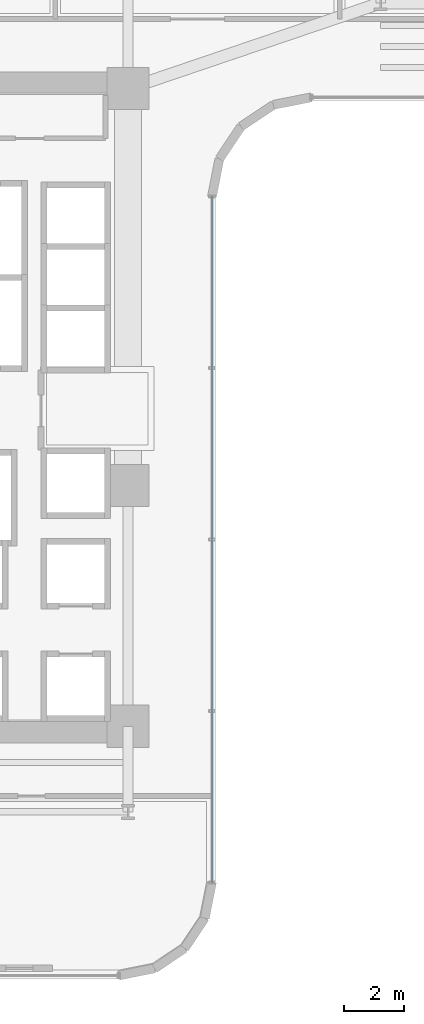
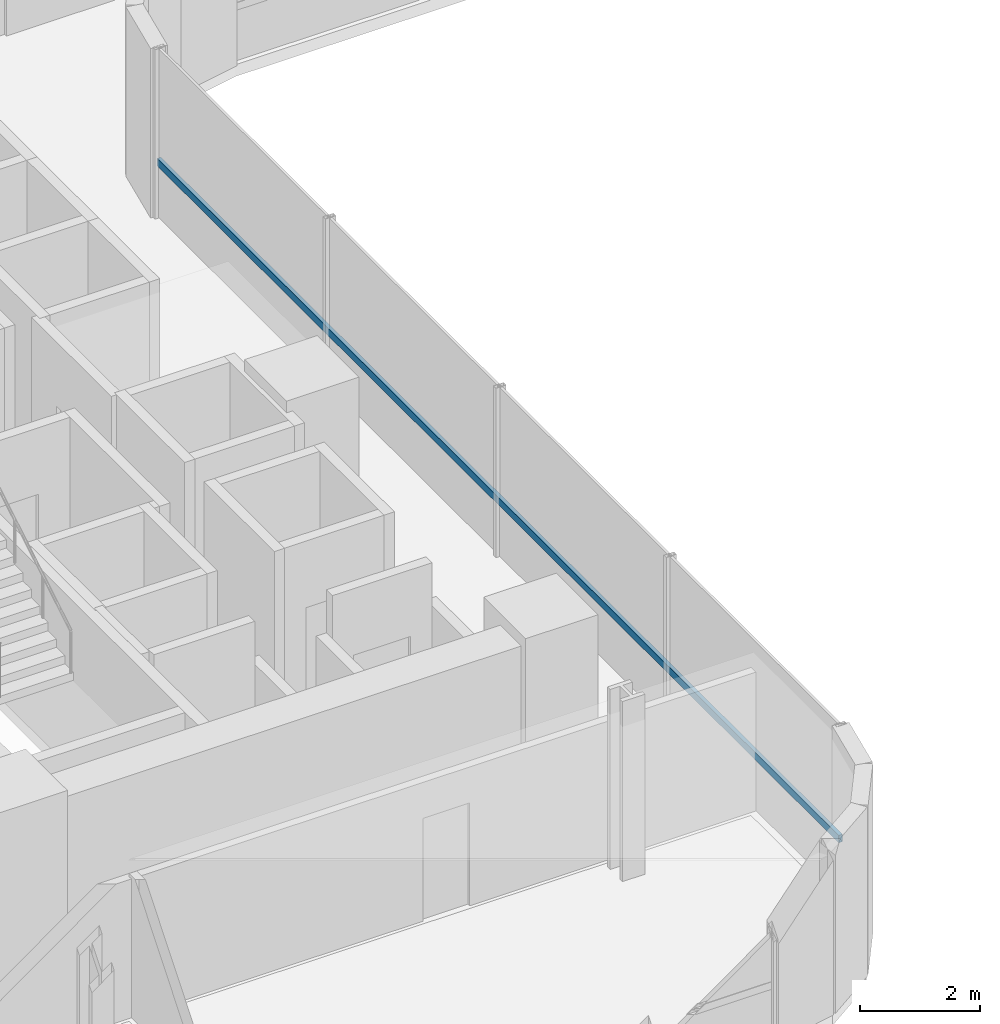
# One storey, part 7 of 40: 1 member, 1 element without a shape of its own.
"""IFC4 building model written with IfcOpenShell, lengths in metres."""

from ifc_helpers import new_model, si_unit, direction, frame, origin, origin_2d, place, context, subcontext, project, spatial, hollow_rectangle, extrude, source, transform, mapped, material, material_profile, profile_set, type_object, element, aggregate, save


model = new_model("IFC4")

# Units and contexts
model_context = context("Model", 3, precision=1e-05, world=origin(), true_north=direction((0.0, 1.0)))
body_context = subcontext(model_context, "Body", "Model", "MODEL_VIEW")
ifc_project = project(units=[si_unit("LENGTHUNIT", "METRE"), si_unit("AREAUNIT", "SQUARE_METRE"), si_unit("VOLUMEUNIT", "CUBIC_METRE"), si_unit("PLANEANGLEUNIT", "RADIAN"), si_unit("MASSUNIT", "GRAM", prefix="KILO")], contexts=[model_context])

# Site, building, storey
site_placement = place(None, origin())
site = spatial("IfcSite", under=ifc_project, at=site_placement, CompositionType="ELEMENT")
building_placement = place(site_placement, origin())
building = spatial("IfcBuilding", under=site, at=building_placement, Name="Valdorenza Pilgrim Sanctuary Tower", CompositionType="ELEMENT")
storey_placement = place(building_placement, frame((0.0, 0.0, 81.5)))
storey = spatial("IfcBuildingStorey", under=building, at=storey_placement, Name="L20", CompositionType="ELEMENT", Elevation=81.5)

# Curtain wall, member
ifc_material_1 = material(Name="Curtain-wall IGU glazing", Category="glass")
curtain_wall_type = type_object("IfcCurtainWallType", Name="CW-SYS-02", PredefinedType="NOTDEFINED", material=ifc_material_1)
curtain_wall_placement = place(storey_placement, origin())
curtain_wall = element("IfcCurtainWall", 1, at=curtain_wall_placement, inside=storey, type_object=curtain_wall_type, Name="L20 Curtain Wall CW-L20-1-41", PredefinedType="NOTDEFINED")
ifc_material_2 = material(Name="Anodised aluminium AW-6060", Category="aluminium")
ifc_material_profile = material_profile(ifc_material_2, hollow_rectangle(XDim=0.074951171875, YDim=0.14990234375, WallThickness=0.00390625, at=origin_2d()), Name="ALU-T 150x75x4")
ifc_profile_set = profile_set([ifc_material_profile], Name="Anodised aluminium AW-6060")
member_type = type_object("IfcMemberType", Name="CW-TRN-02", PredefinedType="USERDEFINED", material=ifc_profile_set)
shared_shape = source(origin(), body_context, "Body", "SweptSolid", [
    extrude(hollow_rectangle(XDim=0.074951171875, YDim=0.14990234375, WallThickness=0.00390625, at=origin_2d()), origin(), (0.0, 0.0, 1.0), 22.800048828125),
])
member_placement = place(storey_placement, frame((-9.610107421875, 7.0107421875, 1.1201171875), z_axis=(0.0, -1.0, 0.0), x_axis=(1.0, 0.0, 0.0)))
member = element("IfcMember", 2, at=member_placement, type_object=member_type, Name="CW-L20-1-41 Transom 1", ObjectType="TRANSOM", PredefinedType="USERDEFINED", context=body_context, shape_type="MappedRepresentation", body=[
    mapped(shared_shape, transform((0.0, 0.0, 0.0), x_axis=(1.0, 0.0, 0.0), y_axis=(0.0, 1.0, 0.0), z_axis=(0.0, 0.0, 1.0), scale=1.0)),
])
aggregate(curtain_wall, [member])

save(model, "model.ifc")
